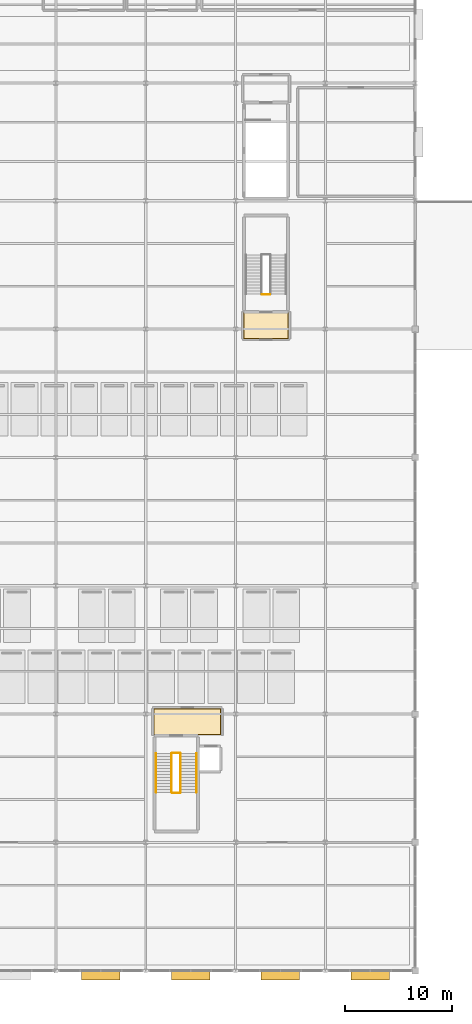
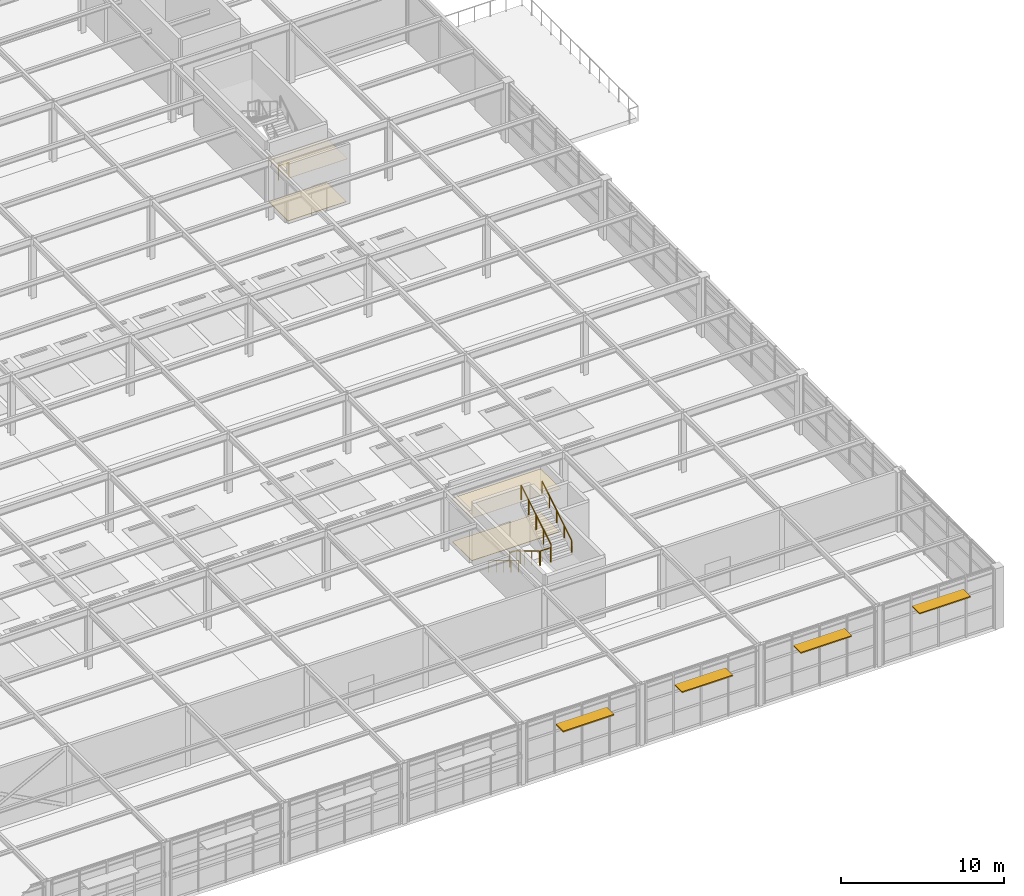
# One storey, part 81 of 82: 7 railings, 4 coverings, 4 shading devices.
"""IFC4 building model written with IfcOpenShell, lengths in metres."""

from ifc_helpers import new_model, si_unit, direction, frame, origin, origin_2d, place, context, subcontext, project, spatial, polyline, rectangle, circle, outline, extrude, material, layer, layer_set, type_object, element, save


model = new_model("IFC4")

# Units and contexts
model_context = context("Model", 3, precision=1e-05, world=origin(), true_north=direction((0.0, 1.0)))
body_context = subcontext(model_context, "Body", "Model", "MODEL_VIEW")
ifc_project = project(units=[si_unit("LENGTHUNIT", "METRE"), si_unit("AREAUNIT", "SQUARE_METRE"), si_unit("VOLUMEUNIT", "CUBIC_METRE"), si_unit("PLANEANGLEUNIT", "RADIAN"), si_unit("MASSUNIT", "GRAM", prefix="KILO")], contexts=[model_context])

# Site, building, storey
site_placement = place(None, origin())
site = spatial("IfcSite", under=ifc_project, at=site_placement, CompositionType="ELEMENT")
building_placement = place(site_placement, origin())
building = spatial("IfcBuilding", under=site, at=building_placement, Name="Sitalva Quay Ferry Terminal", CompositionType="ELEMENT")
storey_placement = place(building_placement, frame((0.0, 0.0, 5.39990234375)))
storey = spatial("IfcBuildingStorey", under=building, at=storey_placement, Name="L02", CompositionType="ELEMENT", Elevation=5.39990234375)

# Coverings
ifc_material_1 = material(Name="Moisture-Resistant Acoustic Gypsum Ceiling", Category="gypsum")
ifc_layer_1 = layer(ifc_material_1, 0.02490234375)
ifc_layer_set_1 = layer_set([ifc_layer_1], Name="Moisture-Resistant Acoustic Gypsum Ceiling")
covering_type_1 = type_object("IfcCoveringType", Name="Ceiling_GypsumMoisture_25", PredefinedType="CEILING", material=ifc_layer_set_1)
covering_1_placement = place(storey_placement, frame((0.0, 0.0, 3.22509765625)))
element("IfcCovering", 1, at=covering_1_placement, inside=storey, type_object=covering_type_1, Name="Firefighting & Lift Lobby C8 ceiling", PredefinedType="CEILING", context=body_context, shape_type="SweptSolid", body=[
    extrude(outline(polyline([(143.5400390625, 28.0400390625), (149.860107421875, 28.0400390625), (149.860107421875, 30.510009765625), (143.5400390625, 30.510009765625), (143.5400390625, 28.0400390625)])), origin(), (0.0, 0.0, 1.0), 0.02490234375),
])
covering_2_placement = place(storey_placement, frame((0.0, 0.0, 3.22509765625)))
element("IfcCovering", 2, at=covering_2_placement, inside=storey, type_object=covering_type_1, Name="Firefighting & Lift Lobby C9 ceiling", PredefinedType="CEILING", context=body_context, shape_type="SweptSolid", body=[
    extrude(outline(polyline([(151.93994140625, 65.090087890625), (156.159912109375, 65.090087890625), (156.159912109375, 67.56005859375), (151.93994140625, 67.56005859375), (151.93994140625, 65.090087890625)])), origin(), (0.0, 0.0, 1.0), 0.02490234375),
])
ifc_material_2 = material(Name="Flamed Non-Slip Granite Paving", Category="masonry")
ifc_layer_2 = layer(ifc_material_2, 0.034912109375)
ifc_layer_set_2 = layer_set([ifc_layer_2], Name="Flamed Non-Slip Granite Paving")
covering_type_2 = type_object("IfcCoveringType", Name="Finish_Granite_35", PredefinedType="FLOORING", material=ifc_layer_set_2)
covering_3_placement = place(storey_placement, origin())
element("IfcCovering", 3, at=covering_3_placement, inside=storey, type_object=covering_type_2, Name="Firefighting & Lift Lobby C8 floor finish", PredefinedType="FLOORING", context=body_context, shape_type="SweptSolid", body=[
    extrude(outline(polyline([(143.590087890625, 28.090087890625), (149.81005859375, 28.090087890625), (149.81005859375, 30.4599609375), (143.590087890625, 30.4599609375), (143.590087890625, 28.090087890625)])), origin(), (0.0, 0.0, 1.0), 0.03515625),
])
covering_4_placement = place(storey_placement, origin())
element("IfcCovering", 4, at=covering_4_placement, inside=storey, type_object=covering_type_2, Name="Firefighting & Lift Lobby C9 floor finish", PredefinedType="FLOORING", context=body_context, shape_type="SweptSolid", body=[
    extrude(outline(polyline([(151.989990234375, 65.139892578125), (156.110107421875, 65.139892578125), (156.110107421875, 67.510009765625), (151.989990234375, 67.510009765625), (151.989990234375, 65.139892578125)])), origin(), (0.0, 0.0, 1.0), 0.03515625),
])

# Railings
ifc_material_3 = material(Name="Galvanised Steel S275JR", Category="steel")
railing_type_1 = type_object("IfcRailingType", Name="Railing_Guard_1100", PredefinedType="GUARDRAIL", material=ifc_material_3)
railing_1_placement = place(storey_placement, frame((145.22998046875, 26.320068359375, 0.171630859375)))
element("IfcRailing", 5, at=railing_1_placement, inside=storey, type_object=railing_type_1, Name="L02 ST-08 stair guard 1", PredefinedType="GUARDRAIL", context=body_context, shape_type="SweptSolid", body=[
    extrude(circle(Radius=0.02392578125, at=origin_2d()), frame((0.0, 0.0, 1.076171875), z_axis=(0.0, -0.852865859571, 0.52213008492), x_axis=(1.0, 0.0, 0.0)), (0.0, 0.0, 1.0), 4.26806640625),
    extrude(circle(Radius=0.02099609375, at=origin_2d()), origin(), (0.0, 0.0, 1.0), 1.052001953125),
    extrude(circle(Radius=0.02099609375, at=origin_2d()), frame((0.0, -0.91015625, 0.55712890625)), (0.0, 0.0, 1.0), 1.052001953125),
    extrude(circle(Radius=0.02099609375, at=origin_2d()), frame((0.0, -1.820068359375, 1.1142578125)), (0.0, 0.0, 1.0), 1.052001953125),
    extrude(circle(Radius=0.02099609375, at=origin_2d()), frame((0.0, -2.72998046875, 1.67138671875)), (0.0, 0.0, 1.0), 1.052001953125),
    extrude(circle(Radius=0.02099609375, at=origin_2d()), frame((0.0, -3.64013671875, 2.228515625)), (0.0, 0.0, 1.0), 1.052001953125),
])
railing_2_placement = place(storey_placement, frame((145.280029296875, 22.6298828125, 2.400146484375)))
element("IfcRailing", 6, at=railing_2_placement, inside=storey, type_object=railing_type_1, Name="L02 ST-08 stair guard 2", PredefinedType="GUARDRAIL", context=body_context, shape_type="SweptSolid", body=[
    extrude(circle(Radius=0.02392578125, at=origin_2d()), frame((0.0, 0.0, 1.076171875), z_axis=(1.0, 0.0, 0.0), x_axis=(0.0, 1.0, 0.0)), (0.0, 0.0, 1.0), 0.739990234375),
    extrude(circle(Radius=0.02099609375, at=origin_2d()), origin(), (0.0, 0.0, 1.0), 1.052001953125),
    extrude(circle(Radius=0.02099609375, at=origin_2d()), frame((0.739990234375, 0.0, 0.0)), (0.0, 0.0, 1.0), 1.052001953125),
])
railing_3_placement = place(storey_placement, frame((146.070068359375, 22.679931640625, 2.571533203125)))
element("IfcRailing", 7, at=railing_3_placement, inside=storey, type_object=railing_type_1, Name="L02 ST-08 stair guard 3", PredefinedType="GUARDRAIL", context=body_context, shape_type="SweptSolid", body=[
    extrude(circle(Radius=0.02392578125, at=origin_2d()), frame((0.0, 0.0, 1.076171875), z_axis=(0.0, 0.852865859571, 0.52213008492), x_axis=(-1.0, 0.0, 0.0)), (0.0, 0.0, 1.0), 4.26806640625),
    extrude(circle(Radius=0.02099609375, at=origin_2d()), origin(), (0.0, 0.0, 1.0), 1.052001953125),
    extrude(circle(Radius=0.02099609375, at=origin_2d()), frame((0.0, 0.91015625, 0.55712890625)), (0.0, 0.0, 1.0), 1.052001953125),
    extrude(circle(Radius=0.02099609375, at=origin_2d()), frame((0.0, 1.820068359375, 1.1142578125)), (0.0, 0.0, 1.0), 1.052001953125),
    extrude(circle(Radius=0.02099609375, at=origin_2d()), frame((0.0, 2.72998046875, 1.67138671875)), (0.0, 0.0, 1.0), 1.052001953125),
    extrude(circle(Radius=0.02099609375, at=origin_2d()), frame((0.0, 3.64013671875, 2.228515625)), (0.0, 0.0, 1.0), 1.052001953125),
])
railing_4_placement = place(storey_placement, frame((145.280029296875, 26.3701171875, 0.0)))
element("IfcRailing", 8, at=railing_4_placement, inside=storey, type_object=railing_type_1, Name="L02 ST-08 stair guard 4", PredefinedType="GUARDRAIL", context=body_context, shape_type="SweptSolid", body=[
    extrude(circle(Radius=0.02392578125, at=origin_2d()), frame((0.0, 0.0, 1.076171875), z_axis=(1.0, 0.0, 0.0), x_axis=(0.0, 1.0, 0.0)), (0.0, 0.0, 1.0), 0.739990234375),
    extrude(circle(Radius=0.02099609375, at=origin_2d()), origin(), (0.0, 0.0, 1.0), 1.052001953125),
    extrude(circle(Radius=0.02099609375, at=origin_2d()), frame((0.739990234375, 0.0, 0.0)), (0.0, 0.0, 1.0), 1.052001953125),
])
railing_5_placement = place(storey_placement, frame((154.419921875, 69.22998046875, 0.0)))
element("IfcRailing", 9, at=railing_5_placement, inside=storey, type_object=railing_type_1, Name="L02 ST-09 stair guard 4", PredefinedType="GUARDRAIL", context=body_context, shape_type="SweptSolid", body=[
    extrude(circle(Radius=0.02392578125, at=origin_2d()), frame((0.0, 0.0, 1.076171875), z_axis=(-1.0, 0.0, 0.0), x_axis=(0.0, -1.0, 0.0)), (0.0, 0.0, 1.0), 0.739990234375),
    extrude(circle(Radius=0.02099609375, at=origin_2d()), origin(), (0.0, 0.0, 1.0), 1.052001953125),
    extrude(circle(Radius=0.02099609375, at=origin_2d()), frame((-0.739990234375, 0.0, 0.0)), (0.0, 0.0, 1.0), 1.052001953125),
])
ifc_material_4 = material(Name="Stainless Steel 316L", Category="steel")
railing_type_2 = type_object("IfcRailingType", Name="Railing_Handrail_900", PredefinedType="HANDRAIL", material=ifc_material_4)
railing_6_placement = place(storey_placement, frame((143.77001953125, 26.320068359375, 0.171630859375)))
element("IfcRailing", 10, at=railing_6_placement, inside=storey, type_object=railing_type_2, Name="L02 ST-08 stair handrail 1", PredefinedType="HANDRAIL", context=body_context, shape_type="SweptSolid", body=[
    extrude(circle(Radius=0.02392578125, at=origin_2d()), frame((0.0, 0.0, 0.8759765625), z_axis=(0.0, -0.852865859571, 0.52213008492), x_axis=(1.0, 0.0, 0.0)), (0.0, 0.0, 1.0), 4.26806640625),
    extrude(circle(Radius=0.02099609375, at=origin_2d()), origin(), (0.0, 0.0, 1.0), 0.851806640625),
    extrude(circle(Radius=0.02099609375, at=origin_2d()), frame((0.0, -0.91015625, 0.55712890625)), (0.0, 0.0, 1.0), 0.851806640625),
    extrude(circle(Radius=0.02099609375, at=origin_2d()), frame((0.0, -1.820068359375, 1.1142578125)), (0.0, 0.0, 1.0), 0.851806640625),
    extrude(circle(Radius=0.02099609375, at=origin_2d()), frame((0.0, -2.72998046875, 1.67138671875)), (0.0, 0.0, 1.0), 0.851806640625),
    extrude(circle(Radius=0.02099609375, at=origin_2d()), frame((0.0, -3.64013671875, 2.228515625)), (0.0, 0.0, 1.0), 0.851806640625),
])
railing_7_placement = place(storey_placement, frame((147.530029296875, 22.679931640625, 2.571533203125)))
element("IfcRailing", 11, at=railing_7_placement, inside=storey, type_object=railing_type_2, Name="L02 ST-08 stair handrail 2", PredefinedType="HANDRAIL", context=body_context, shape_type="SweptSolid", body=[
    extrude(circle(Radius=0.02392578125, at=origin_2d()), frame((0.0, 0.0, 0.8759765625), z_axis=(0.0, 0.852865859571, 0.52213008492), x_axis=(-1.0, 0.0, 0.0)), (0.0, 0.0, 1.0), 4.26806640625),
    extrude(circle(Radius=0.02099609375, at=origin_2d()), origin(), (0.0, 0.0, 1.0), 0.851806640625),
    extrude(circle(Radius=0.02099609375, at=origin_2d()), frame((0.0, 0.91015625, 0.55712890625)), (0.0, 0.0, 1.0), 0.851806640625),
    extrude(circle(Radius=0.02099609375, at=origin_2d()), frame((0.0, 1.820068359375, 1.1142578125)), (0.0, 0.0, 1.0), 0.851806640625),
    extrude(circle(Radius=0.02099609375, at=origin_2d()), frame((0.0, 2.72998046875, 1.67138671875)), (0.0, 0.0, 1.0), 0.851806640625),
    extrude(circle(Radius=0.02099609375, at=origin_2d()), frame((0.0, 3.64013671875, 2.228515625)), (0.0, 0.0, 1.0), 0.851806640625),
])

# Shading devices
ifc_material_5 = material(Name="Anodised Marine Aluminium 6063-T6", Category="aluminium")
shading_device_type = type_object("IfcShadingDeviceType", Name="Shade_HorizontalLouvre_900", PredefinedType="USERDEFINED", material=ifc_material_5)
for number, where, z_axis, x_axis, name in (
    (12, (138.60009765625, 5.580078125, 3.507568359375), (0.0, 0.0, 1.0), (1.0, 0.0, 0.0), "Monsoon sunshade canopy BS-016"),
    (13, (147.0, 5.580078125, 3.507568359375), (0.0, 0.0, 1.0), (1.0, 0.0, 0.0), "Monsoon sunshade canopy BS-018"),
    (14, (155.39990234375, 5.580078125, 3.507568359375), (0.0, 0.0, 1.0), (1.0, 0.0, 0.0), "Monsoon sunshade canopy BS-020"),
    (15, (163.800048828125, 5.580078125, 3.507568359375), (0.0, 0.0, 1.0), (1.0, 0.0, 0.0), "Monsoon sunshade canopy BS-022"),
):
    element("IfcShadingDevice", number, at=place(storey_placement, frame(where, z_axis=z_axis, x_axis=x_axis)), inside=storey, type_object=shading_device_type, Name=name, ObjectType="SUNSHADE", PredefinedType="USERDEFINED", context=body_context, shape_type="SweptSolid", body=[
        extrude(rectangle(XDim=3.60009765625, YDim=0.89990234375, at=origin_2d()), origin(), (0.0, 0.0, 1.0), 0.0849609375),
    ])

save(model, "model.ifc")
